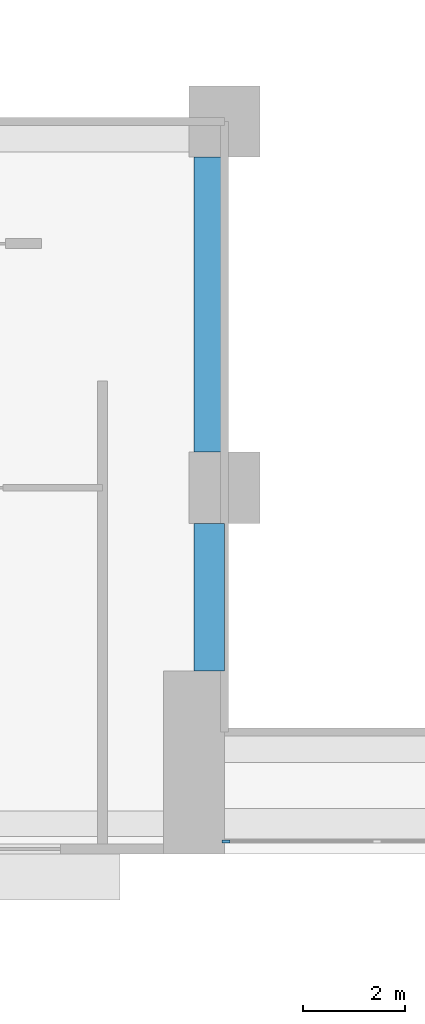
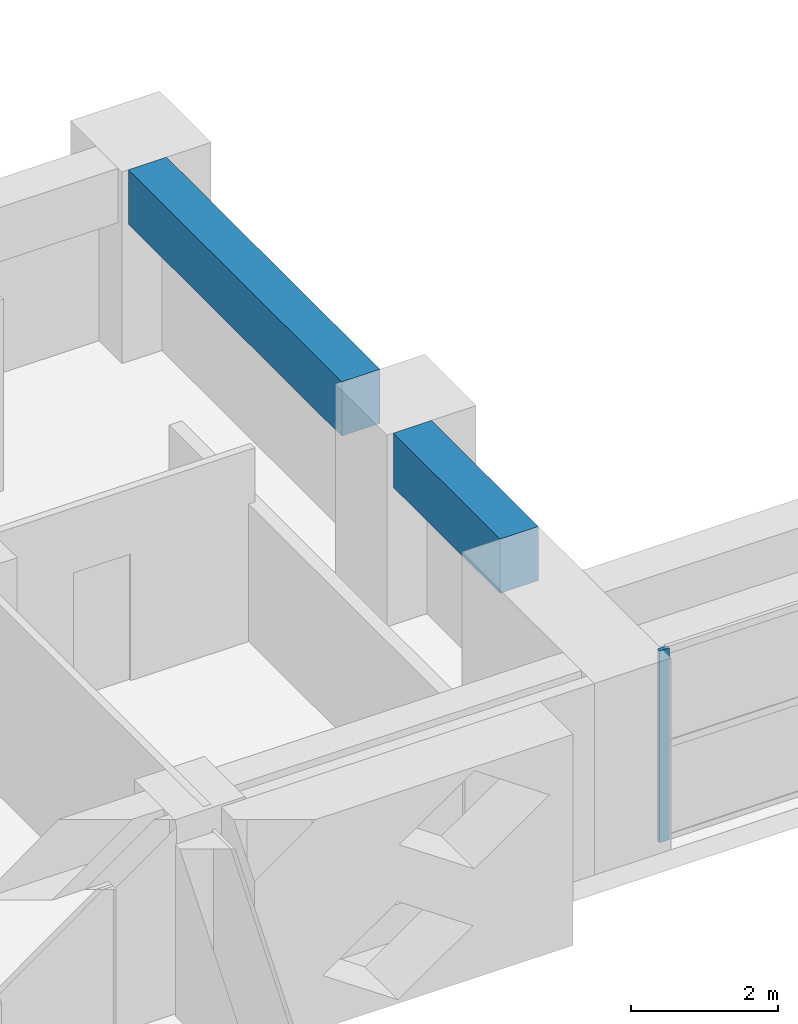
# One storey, part 2 of 17: 2 beams, 1 member, 1 element without a shape of its own.
"""IFC4 building model written with IfcOpenShell, lengths in metres."""

from ifc_helpers import new_model, si_unit, direction, frame, origin, origin_2d, place, context, subcontext, project, spatial, rectangle, extrude, source, transform, mapped, material, layer, layer_set, material_profile, profile_set, type_object, element, aggregate, save


model = new_model("IFC4")

# Units and contexts
model_context = context("Model", 3, precision=1e-05, world=origin(), true_north=direction((0.0, 1.0)))
body_context = subcontext(model_context, "Body", "Model", "MODEL_VIEW")
ifc_project = project(units=[si_unit("LENGTHUNIT", "METRE"), si_unit("AREAUNIT", "SQUARE_METRE"), si_unit("VOLUMEUNIT", "CUBIC_METRE"), si_unit("PLANEANGLEUNIT", "RADIAN"), si_unit("MASSUNIT", "GRAM", prefix="KILO")], contexts=[model_context])

# Site, building, storey
site_placement = place(None, origin())
site = spatial("IfcSite", under=ifc_project, at=site_placement, CompositionType="ELEMENT")
building_placement = place(site_placement, origin())
building = spatial("IfcBuilding", under=site, at=building_placement, Name="Saffron Iwan Residences", CompositionType="ELEMENT")
storey_placement = place(building_placement, frame((0.0, 0.0, 34.0)))
storey = spatial("IfcBuildingStorey", under=building, at=storey_placement, Name="L07", CompositionType="ELEMENT", Elevation=34.0)

# Beams
ifc_material_1 = material(Name="Concrete C60/75", Category="concrete")
ifc_material_profile_1 = material_profile(ifc_material_1, rectangle(XDim=0.60009765625, YDim=0.89990234375, at=origin_2d()), Name="RC 600x900")
ifc_profile_set_1 = profile_set([ifc_material_profile_1], Name="Concrete C60/75")
beam_type = type_object("IfcBeamType", Name="BEAM RC 600x900 C60/75 TOP 3180", PredefinedType="BEAM", material=ifc_profile_set_1)
shared_shape_1 = source(origin(), body_context, "Body", "SweptSolid", [
    extrude(rectangle(XDim=0.60009765625, YDim=0.89990234375, at=origin_2d()), origin(), (0.0, 0.0, 1.0), 2.900146484375),
])
beam_1_placement = place(storey_placement, frame((42.89990234375, 37.199951171875, 2.72998046875), z_axis=(0.0, 1.0, 0.0), x_axis=(-1.0, 0.0, 0.0)))
element("IfcBeam", 1, at=beam_1_placement, inside=storey, type_object=beam_type, Name="Atrium edge beam", PredefinedType="BEAM", context=body_context, shape_type="MappedRepresentation", body=[
    mapped(shared_shape_1, transform((0.0, 0.0, 0.0))),
])
shared_shape_2 = source(origin(), body_context, "Body", "SweptSolid", [
    extrude(rectangle(XDim=0.60009765625, YDim=0.89990234375, at=origin_2d()), origin(), (0.0, 0.0, 1.0), 5.800048828125),
])
beam_2_placement = place(storey_placement, frame((42.89990234375, 41.5, 2.72998046875), z_axis=(0.0, 1.0, 0.0), x_axis=(-1.0, 0.0, 0.0)))
element("IfcBeam", 2, at=beam_2_placement, inside=storey, type_object=beam_type, Name="Atrium edge beam", PredefinedType="BEAM", context=body_context, shape_type="MappedRepresentation", body=[
    mapped(shared_shape_2, transform((0.0, 0.0, 0.0))),
])

# Curtain wall, member
ifc_material_2 = material(Name="Clear glass, laminated double glazed", Category="glass")
ifc_layer = layer(ifc_material_2, 0.199951171875)
ifc_layer_set = layer_set([ifc_layer], Name="Clear glass, laminated double glazed")
curtain_wall_type = type_object("IfcCurtainWallType", Name="CW-B IWAN PORTAL", PredefinedType="NOTDEFINED", material=ifc_layer_set)
curtain_wall_placement = place(storey_placement, origin())
curtain_wall = element("IfcCurtainWall", 3, at=curtain_wall_placement, inside=storey, type_object=curtain_wall_type, Name="Iwan portal glazing L07.1", PredefinedType="NOTDEFINED")
ifc_material_3 = material(Name="Aluminium 6063-T6", Category="aluminium")
ifc_material_profile_2 = material_profile(ifc_material_3, rectangle(XDim=0.06005859375, YDim=0.159912109375, at=origin_2d()), Name="CW-B MULLION 60 x 160")
ifc_profile_set_2 = profile_set([ifc_material_profile_2], Name="Aluminium 6063-T6")
member_type = type_object("IfcMemberType", Name="CW-B MULLION 60 x 160", PredefinedType="MULLION", material=ifc_profile_set_2)
shared_shape_3 = source(origin(), body_context, "Body", "SweptSolid", [
    extrude(rectangle(XDim=0.06005859375, YDim=0.159912109375, at=origin_2d()), origin(), (0.0, 0.0, 1.0), 3.179931640625),
])
member_placement = place(storey_placement, frame((43.22998046875, 33.85009765625, 0.0), z_axis=(0.0, 0.0, 1.0), x_axis=(0.0, 1.0, 0.0)))
member = element("IfcMember", 4, at=member_placement, type_object=member_type, Name="CW-B mullion 1", PredefinedType="MULLION", context=body_context, shape_type="MappedRepresentation", body=[
    mapped(shared_shape_3, transform((0.0, 0.0, 0.0))),
])
aggregate(curtain_wall, [member])

save(model, "model.ifc")
